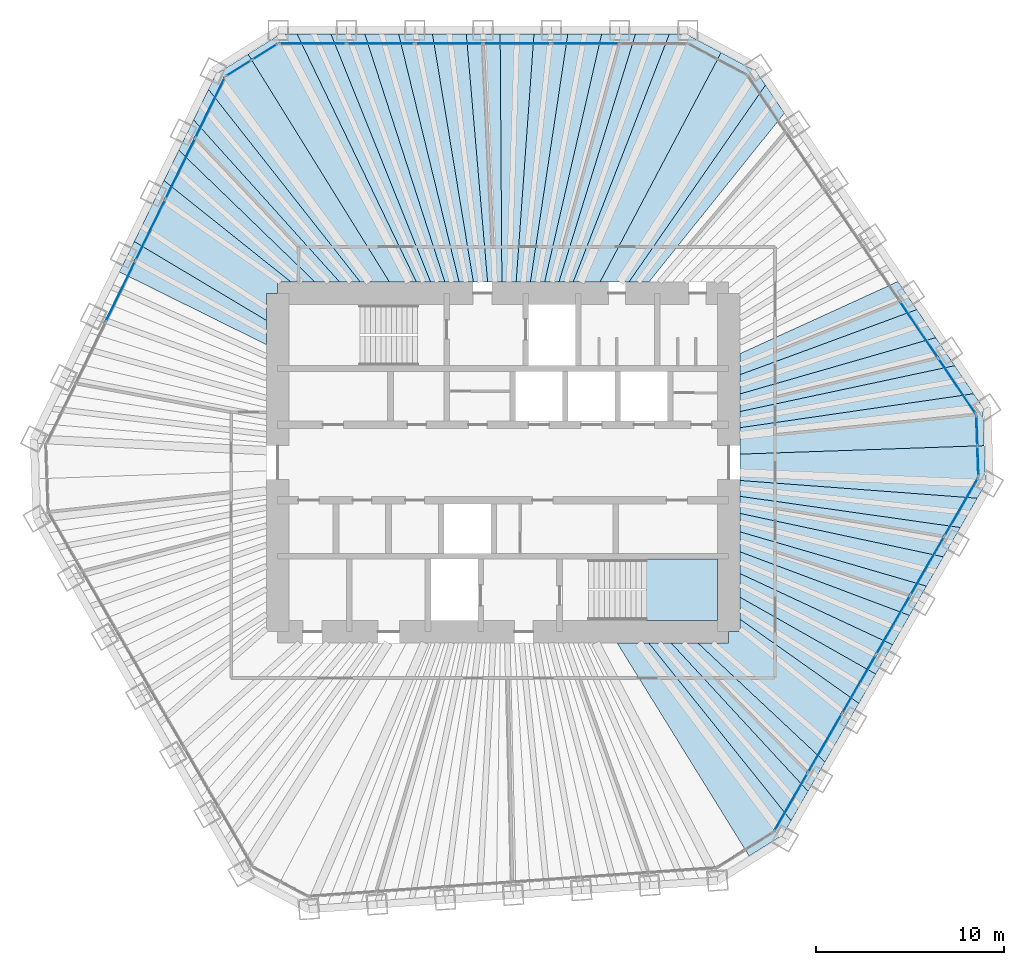
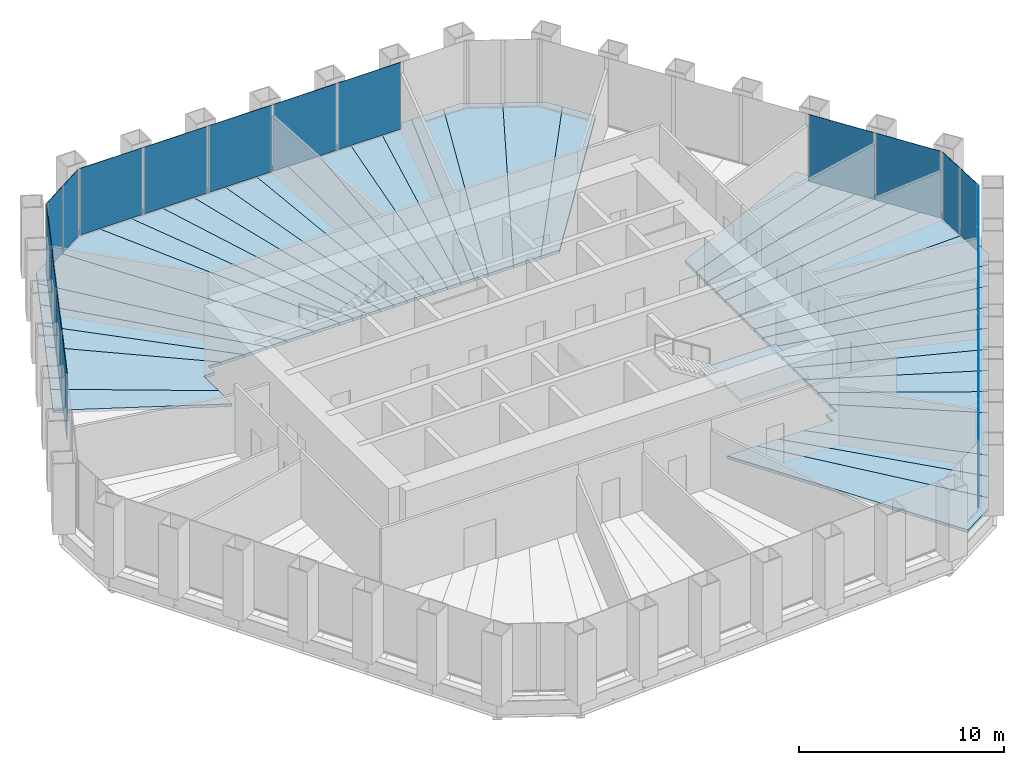
# One storey, part 9 of 13: 39 slabs, 21 plates, 7 elements without a shape of their own.
"""IFC4 building model written with IfcOpenShell, lengths in metres."""

from ifc_helpers import new_model, si_unit, direction, frame, origin, origin_2d, place, context, subcontext, project, spatial, polyline, rectangle, outline, extrude, material, layer, layer_set, type_object, element, aggregate, save


model = new_model("IFC4")

# Units and contexts
model_context = context("Model", 3, precision=1e-05, world=origin(), true_north=direction((0.0, 1.0)))
body_context = subcontext(model_context, "Body", "Model", "MODEL_VIEW")
ifc_project = project(units=[si_unit("LENGTHUNIT", "METRE"), si_unit("AREAUNIT", "SQUARE_METRE"), si_unit("VOLUMEUNIT", "CUBIC_METRE"), si_unit("PLANEANGLEUNIT", "RADIAN"), si_unit("MASSUNIT", "GRAM", prefix="KILO")], contexts=[model_context])

# Site, building, storey
site_placement = place(None, origin())
site = spatial("IfcSite", under=ifc_project, at=site_placement, CompositionType="ELEMENT")
building_placement = place(site_placement, origin())
building = spatial("IfcBuilding", under=site, at=building_placement, Name="Qingtian Harvest Tower", CompositionType="ELEMENT")
storey_placement = place(building_placement, frame((0.0, 0.0, 209.800048828125)))
storey = spatial("IfcBuildingStorey", under=building, at=storey_placement, Name="L45", CompositionType="ELEMENT", Elevation=209.800048828125)

# Slabs
ifc_material_1 = material(Name="Concrete fc' 35 MPa", Category="concrete")
ifc_layer_1 = layer(ifc_material_1, 0.169921875)
ifc_layer_set_1 = layer_set([ifc_layer_1], Name="Composite floor slab FS17 170")
slab_type_1 = type_object("IfcSlabType", Name="Composite floor slab FS17 170", PredefinedType="FLOOR", material=ifc_layer_set_1)
slab_1_placement = place(storey_placement, frame((0.0, 0.0, -0.170166015625)))
element("IfcSlab", 1, at=slab_1_placement, inside=storey, type_object=slab_type_1, Name="Floor slab L45 panel D27", PredefinedType="FLOOR", context=body_context, shape_type="SweptSolid", body=[
    extrude(outline(polyline([(6.059326171875, -9.60009765625), (7.740966796875, -9.60009765625), (15.3271484375, -19.0625), (14.886962890625, -19.8251953125), (13.090576171875, -20.94775390625), (6.059326171875, -9.60009765625)])), origin(), (0.0, 0.0, 1.0), 0.170166015625),
])
slab_2_placement = place(storey_placement, frame((0.0, 0.0, -0.170166015625)))
element("IfcSlab", 2, at=slab_2_placement, inside=storey, type_object=slab_type_1, Name="Floor slab L45 panel D28", PredefinedType="FLOOR", context=body_context, shape_type="SweptSolid", body=[
    extrude(outline(polyline([(8.929443359375, -9.60009765625), (16.22802734375, -17.50244140625), (15.3271484375, -19.0625), (7.740966796875, -9.60009765625), (8.929443359375, -9.60009765625)])), origin(), (0.0, 0.0, 1.0), 0.170166015625),
])
slab_3_placement = place(storey_placement, frame((0.0, 0.0, -0.170166015625)))
element("IfcSlab", 3, at=slab_3_placement, inside=storey, type_object=slab_type_1, Name="Floor slab L45 panel D29", PredefinedType="FLOOR", context=body_context, shape_type="SweptSolid", body=[
    extrude(outline(polyline([(10.35205078125, -9.60009765625), (17.128662109375, -15.942138671875), (16.22802734375, -17.50244140625), (8.929443359375, -9.60009765625), (10.35205078125, -9.60009765625)])), origin(), (0.0, 0.0, 1.0), 0.170166015625),
])
slab_4_placement = place(storey_placement, frame((0.0, 0.0, -0.170166015625)))
element("IfcSlab", 4, at=slab_4_placement, inside=storey, type_object=slab_type_1, Name="Floor slab L45 panel D31", PredefinedType="FLOOR", context=body_context, shape_type="SweptSolid", body=[
    extrude(outline(polyline([(12.60009765625, -8.33984375), (18.931884765625, -12.819091796875), (17.128662109375, -15.942138671875), (10.35205078125, -9.60009765625), (12.0, -9.60009765625), (12.0, -9.0), (12.60009765625, -9.0), (12.60009765625, -8.33984375)])), origin(), (0.0, 0.0, 1.0), 0.170166015625),
])
slab_5_placement = place(storey_placement, frame((0.0, 0.0, -0.170166015625)))
element("IfcSlab", 5, at=slab_5_placement, inside=storey, type_object=slab_type_1, Name="Floor slab L45 panel D32", PredefinedType="FLOOR", context=body_context, shape_type="SweptSolid", body=[
    extrude(outline(polyline([(12.60009765625, -7.171142578125), (19.830322265625, -11.262939453125), (18.931884765625, -12.819091796875), (12.60009765625, -8.33984375), (12.60009765625, -7.171142578125)])), origin(), (0.0, 0.0, 1.0), 0.170166015625),
])
slab_6_placement = place(storey_placement, frame((0.0, 0.0, -0.170166015625)))
element("IfcSlab", 6, at=slab_6_placement, inside=storey, type_object=slab_type_1, Name="Floor slab L45 panel D33", PredefinedType="FLOOR", context=body_context, shape_type="SweptSolid", body=[
    extrude(outline(polyline([(12.60009765625, -5.91015625), (20.73095703125, -9.702880859375), (19.830322265625, -11.262939453125), (12.60009765625, -7.171142578125), (12.60009765625, -5.91015625)])), origin(), (0.0, 0.0, 1.0), 0.170166015625),
])
slab_7_placement = place(storey_placement, frame((0.0, 0.0, -0.170166015625)))
element("IfcSlab", 7, at=slab_7_placement, inside=storey, type_object=slab_type_1, Name="Floor slab L45 panel D34", PredefinedType="FLOOR", context=body_context, shape_type="SweptSolid", body=[
    extrude(outline(polyline([(12.60009765625, -4.75439453125), (21.6318359375, -8.142578125), (20.73095703125, -9.702880859375), (12.60009765625, -5.91015625), (12.60009765625, -4.75439453125)])), origin(), (0.0, 0.0, 1.0), 0.170166015625),
])
slab_8_placement = place(storey_placement, frame((0.0, 0.0, -0.170166015625)))
element("IfcSlab", 8, at=slab_8_placement, inside=storey, type_object=slab_type_1, Name="Floor slab L45 panel D35", PredefinedType="FLOOR", context=body_context, shape_type="SweptSolid", body=[
    extrude(outline(polyline([(12.60009765625, -3.691162109375), (22.532470703125, -6.58251953125), (21.6318359375, -8.142578125), (12.60009765625, -4.75439453125), (12.60009765625, -3.691162109375)])), origin(), (0.0, 0.0, 1.0), 0.170166015625),
])
slab_9_placement = place(storey_placement, frame((0.0, 0.0, -0.170166015625)))
element("IfcSlab", 9, at=slab_9_placement, inside=storey, type_object=slab_type_1, Name="Floor slab L45 panel D36", PredefinedType="FLOOR", context=body_context, shape_type="SweptSolid", body=[
    extrude(outline(polyline([(12.60009765625, -2.709716796875), (23.43310546875, -5.022705078125), (22.532470703125, -6.58251953125), (12.60009765625, -3.691162109375), (12.60009765625, -2.709716796875)])), origin(), (0.0, 0.0, 1.0), 0.170166015625),
])
slab_10_placement = place(storey_placement, frame((0.0, 0.0, -0.170166015625)))
element("IfcSlab", 10, at=slab_10_placement, inside=storey, type_object=slab_type_1, Name="Floor slab L45 panel D37", PredefinedType="FLOOR", context=body_context, shape_type="SweptSolid", body=[
    extrude(outline(polyline([(12.60009765625, -1.801025390625), (24.333740234375, -3.462646484375), (23.43310546875, -5.022705078125), (12.60009765625, -2.709716796875), (12.60009765625, -1.801025390625)])), origin(), (0.0, 0.0, 1.0), 0.170166015625),
])
slab_11_placement = place(storey_placement, frame((0.0, 0.0, -0.170166015625)))
element("IfcSlab", 11, at=slab_11_placement, inside=storey, type_object=slab_type_1, Name="Floor slab L45 panel D38", PredefinedType="FLOOR", context=body_context, shape_type="SweptSolid", body=[
    extrude(outline(polyline([(12.60009765625, -0.95703125), (25.234619140625, -1.902587890625), (24.333740234375, -3.462646484375), (12.60009765625, -1.801025390625), (12.60009765625, -0.95703125)])), origin(), (0.0, 0.0, 1.0), 0.170166015625),
])
slab_12_placement = place(storey_placement, frame((0.0, 0.0, -0.170166015625)))
element("IfcSlab", 12, at=slab_12_placement, inside=storey, type_object=slab_type_1, Name="Floor slab L45 panel D39", PredefinedType="FLOOR", context=body_context, shape_type="SweptSolid", body=[
    extrude(outline(polyline([(12.60009765625, -0.95703125), (12.60009765625, 0.442626953125), (25.603759765625, 0.89404296875), (25.6748046875, -1.139892578125), (25.234619140625, -1.902587890625), (12.60009765625, -0.95703125)])), origin(), (0.0, 0.0, 1.0), 0.170166015625),
])
slab_13_placement = place(storey_placement, frame((0.0, 0.0, -0.170166015625)))
element("IfcSlab", 13, at=slab_13_placement, inside=storey, type_object=slab_type_1, Name="Floor slab L45 panel D40", PredefinedType="FLOOR", context=body_context, shape_type="SweptSolid", body=[
    extrude(outline(polyline([(12.60009765625, 0.442626953125), (12.60009765625, 1.848876953125), (25.040283203125, 3.658203125), (25.53271484375, 2.92822265625), (25.603759765625, 0.89404296875), (12.60009765625, 0.442626953125)])), origin(), (0.0, 0.0, 1.0), 0.170166015625),
])
slab_14_placement = place(storey_placement, frame((0.0, 0.0, -0.170166015625)))
element("IfcSlab", 14, at=slab_14_placement, inside=storey, type_object=slab_type_1, Name="Floor slab L45 panel D41", PredefinedType="FLOOR", context=body_context, shape_type="SweptSolid", body=[
    extrude(outline(polyline([(12.60009765625, 2.710205078125), (24.032958984375, 5.151611328125), (25.040283203125, 3.658203125), (12.60009765625, 1.848876953125), (12.60009765625, 2.710205078125)])), origin(), (0.0, 0.0, 1.0), 0.170166015625),
])
slab_15_placement = place(storey_placement, frame((0.0, 0.0, -0.170166015625)))
element("IfcSlab", 15, at=slab_15_placement, inside=storey, type_object=slab_type_1, Name="Floor slab L45 panel D42", PredefinedType="FLOOR", context=body_context, shape_type="SweptSolid", body=[
    extrude(outline(polyline([(12.60009765625, 3.646728515625), (23.025634765625, 6.64501953125), (24.032958984375, 5.151611328125), (12.60009765625, 2.710205078125), (12.60009765625, 3.646728515625)])), origin(), (0.0, 0.0, 1.0), 0.170166015625),
])
slab_16_placement = place(storey_placement, frame((0.0, 0.0, -0.170166015625)))
element("IfcSlab", 16, at=slab_16_placement, inside=storey, type_object=slab_type_1, Name="Floor slab L45 panel D43", PredefinedType="FLOOR", context=body_context, shape_type="SweptSolid", body=[
    extrude(outline(polyline([(12.60009765625, 4.669189453125), (22.018310546875, 8.138427734375), (23.025634765625, 6.64501953125), (12.60009765625, 3.646728515625), (12.60009765625, 4.669189453125)])), origin(), (0.0, 0.0, 1.0), 0.170166015625),
])
slab_17_placement = place(storey_placement, frame((0.0, 0.0, -0.170166015625)))
element("IfcSlab", 17, at=slab_17_placement, inside=storey, type_object=slab_type_1, Name="Floor slab L45 panel D44", PredefinedType="FLOOR", context=body_context, shape_type="SweptSolid", body=[
    extrude(outline(polyline([(12.60009765625, 5.7900390625), (21.010986328125, 9.6318359375), (22.018310546875, 8.138427734375), (12.60009765625, 4.669189453125), (12.60009765625, 5.7900390625)])), origin(), (0.0, 0.0, 1.0), 0.170166015625),
])
slab_18_placement = place(storey_placement, frame((0.0, 0.0, -0.170166015625)))
element("IfcSlab", 18, at=slab_18_placement, inside=storey, type_object=slab_type_1, Name="Floor slab L45 panel D51", PredefinedType="FLOOR", context=body_context, shape_type="SweptSolid", body=[
    extrude(outline(polyline([(6.6904296875, 9.60009765625), (13.960205078125, 20.085205078125), (14.967529296875, 18.591796875), (7.751220703125, 9.60009765625), (6.6904296875, 9.60009765625)])), origin(), (0.0, 0.0, 1.0), 0.170166015625),
])
slab_19_placement = place(storey_placement, frame((0.0, 0.0, -0.170166015625)))
element("IfcSlab", 19, at=slab_19_placement, inside=storey, type_object=slab_type_1, Name="Floor slab L45 panel D52", PredefinedType="FLOOR", context=body_context, shape_type="SweptSolid", body=[
    extrude(outline(polyline([(6.6904296875, 9.60009765625), (5.15185546875, 9.60009765625), (11.59716796875, 21.809814453125), (13.4677734375, 20.8154296875), (13.960205078125, 20.085205078125), (6.6904296875, 9.60009765625)])), origin(), (0.0, 0.0, 1.0), 0.170166015625),
])
slab_20_placement = place(storey_placement, frame((0.0, 0.0, -0.170166015625)))
element("IfcSlab", 20, at=slab_20_placement, inside=storey, type_object=slab_type_1, Name="Floor slab L45 panel D53", PredefinedType="FLOOR", context=body_context, shape_type="SweptSolid", body=[
    extrude(outline(polyline([(3.7236328125, 9.60009765625), (8.84521484375, 22.804931640625), (9.7255859375, 22.804931640625), (11.59716796875, 21.809814453125), (5.15185546875, 9.60009765625), (3.7236328125, 9.60009765625)])), origin(), (0.0, 0.0, 1.0), 0.170166015625),
])
slab_21_placement = place(storey_placement, frame((0.0, 0.0, -0.170166015625)))
element("IfcSlab", 21, at=slab_21_placement, inside=storey, type_object=slab_type_1, Name="Floor slab L45 panel D54", PredefinedType="FLOOR", context=body_context, shape_type="SweptSolid", body=[
    extrude(outline(polyline([(2.96533203125, 9.60009765625), (7.0439453125, 22.804931640625), (8.84521484375, 22.804931640625), (3.7236328125, 9.60009765625), (2.96533203125, 9.60009765625)])), origin(), (0.0, 0.0, 1.0), 0.170166015625),
])
slab_22_placement = place(storey_placement, frame((0.0, 0.0, -0.170166015625)))
element("IfcSlab", 22, at=slab_22_placement, inside=storey, type_object=slab_type_1, Name="Floor slab L45 panel D55", PredefinedType="FLOOR", context=body_context, shape_type="SweptSolid", body=[
    extrude(outline(polyline([(2.206787109375, 9.60009765625), (5.242431640625, 22.804931640625), (7.0439453125, 22.804931640625), (2.96533203125, 9.60009765625), (2.206787109375, 9.60009765625)])), origin(), (0.0, 0.0, 1.0), 0.170166015625),
])
slab_23_placement = place(storey_placement, frame((0.0, 0.0, -0.170166015625)))
element("IfcSlab", 23, at=slab_23_placement, inside=storey, type_object=slab_type_1, Name="Floor slab L45 panel D56", PredefinedType="FLOOR", context=body_context, shape_type="SweptSolid", body=[
    extrude(outline(polyline([(1.448486328125, 9.60009765625), (3.441162109375, 22.804931640625), (5.242431640625, 22.804931640625), (2.206787109375, 9.60009765625), (1.448486328125, 9.60009765625)])), origin(), (0.0, 0.0, 1.0), 0.170166015625),
])
slab_24_placement = place(storey_placement, frame((0.0, 0.0, -0.170166015625)))
element("IfcSlab", 24, at=slab_24_placement, inside=storey, type_object=slab_type_1, Name="Floor slab L45 panel D57", PredefinedType="FLOOR", context=body_context, shape_type="SweptSolid", body=[
    extrude(outline(polyline([(0.690185546875, 9.60009765625), (1.639892578125, 22.804931640625), (3.441162109375, 22.804931640625), (1.448486328125, 9.60009765625), (0.690185546875, 9.60009765625)])), origin(), (0.0, 0.0, 1.0), 0.170166015625),
])
slab_25_placement = place(storey_placement, frame((0.0, 0.0, -0.170166015625)))
element("IfcSlab", 25, at=slab_25_placement, inside=storey, type_object=slab_type_1, Name="Floor slab L45 panel D58", PredefinedType="FLOOR", context=body_context, shape_type="SweptSolid", body=[
    extrude(outline(polyline([(-0.068115234375, 9.60009765625), (-0.16162109375, 22.804931640625), (1.639892578125, 22.804931640625), (0.690185546875, 9.60009765625), (-0.068115234375, 9.60009765625)])), origin(), (0.0, 0.0, 1.0), 0.170166015625),
])
slab_26_placement = place(storey_placement, frame((0.0, 0.0, -0.170166015625)))
element("IfcSlab", 26, at=slab_26_placement, inside=storey, type_object=slab_type_1, Name="Floor slab L45 panel D59", PredefinedType="FLOOR", context=body_context, shape_type="SweptSolid", body=[
    extrude(outline(polyline([(-0.826416015625, 9.60009765625), (-1.962890625, 22.804931640625), (-0.16162109375, 22.804931640625), (-0.068115234375, 9.60009765625), (-0.826416015625, 9.60009765625)])), origin(), (0.0, 0.0, 1.0), 0.170166015625),
])
slab_27_placement = place(storey_placement, frame((0.0, 0.0, -0.170166015625)))
element("IfcSlab", 27, at=slab_27_placement, inside=storey, type_object=slab_type_1, Name="Floor slab L45 panel D60", PredefinedType="FLOOR", context=body_context, shape_type="SweptSolid", body=[
    extrude(outline(polyline([(-1.584716796875, 9.60009765625), (-3.764404296875, 22.804931640625), (-1.962890625, 22.804931640625), (-0.826416015625, 9.60009765625), (-1.584716796875, 9.60009765625)])), origin(), (0.0, 0.0, 1.0), 0.170166015625),
])
slab_28_placement = place(storey_placement, frame((0.0, 0.0, -0.170166015625)))
element("IfcSlab", 28, at=slab_28_placement, inside=storey, type_object=slab_type_1, Name="Floor slab L45 panel D61", PredefinedType="FLOOR", context=body_context, shape_type="SweptSolid", body=[
    extrude(outline(polyline([(-2.343017578125, 9.60009765625), (-5.565673828125, 22.804931640625), (-3.764404296875, 22.804931640625), (-1.584716796875, 9.60009765625), (-2.343017578125, 9.60009765625)])), origin(), (0.0, 0.0, 1.0), 0.170166015625),
])
slab_29_placement = place(storey_placement, frame((0.0, 0.0, -0.170166015625)))
element("IfcSlab", 29, at=slab_29_placement, inside=storey, type_object=slab_type_1, Name="Floor slab L45 panel D62", PredefinedType="FLOOR", context=body_context, shape_type="SweptSolid", body=[
    extrude(outline(polyline([(-3.101318359375, 9.60009765625), (-7.366943359375, 22.804931640625), (-5.565673828125, 22.804931640625), (-2.343017578125, 9.60009765625), (-3.101318359375, 9.60009765625)])), origin(), (0.0, 0.0, 1.0), 0.170166015625),
])
slab_30_placement = place(storey_placement, frame((0.0, 0.0, -0.170166015625)))
element("IfcSlab", 30, at=slab_30_placement, inside=storey, type_object=slab_type_1, Name="Floor slab L45 panel D63", PredefinedType="FLOOR", context=body_context, shape_type="SweptSolid", body=[
    extrude(outline(polyline([(-3.859619140625, 9.60009765625), (-9.16845703125, 22.804931640625), (-7.366943359375, 22.804931640625), (-3.101318359375, 9.60009765625), (-3.859619140625, 9.60009765625)])), origin(), (0.0, 0.0, 1.0), 0.170166015625),
])
slab_31_placement = place(storey_placement, frame((0.0, 0.0, -0.170166015625)))
element("IfcSlab", 31, at=slab_31_placement, inside=storey, type_object=slab_type_1, Name="Floor slab L45 panel D64", PredefinedType="FLOOR", context=body_context, shape_type="SweptSolid", body=[
    extrude(outline(polyline([(-4.617919921875, 9.60009765625), (-10.9697265625, 22.804931640625), (-9.16845703125, 22.804931640625), (-3.859619140625, 9.60009765625), (-4.617919921875, 9.60009765625)])), origin(), (0.0, 0.0, 1.0), 0.170166015625),
])
slab_32_placement = place(storey_placement, frame((0.0, 0.0, -0.170166015625)))
element("IfcSlab", 32, at=slab_32_placement, inside=storey, type_object=slab_type_1, Name="Floor slab L45 panel D65", PredefinedType="FLOOR", context=body_context, shape_type="SweptSolid", body=[
    extrude(outline(polyline([(-4.617919921875, 9.60009765625), (-6.050537109375, 9.60009765625), (-13.57666015625, 21.72607421875), (-11.85009765625, 22.804931640625), (-10.9697265625, 22.804931640625), (-4.617919921875, 9.60009765625)])), origin(), (0.0, 0.0, 1.0), 0.170166015625),
])
slab_33_placement = place(storey_placement, frame((0.0, 0.0, -0.170166015625)))
element("IfcSlab", 33, at=slab_33_placement, inside=storey, type_object=slab_type_1, Name="Floor slab L45 panel D66", PredefinedType="FLOOR", context=body_context, shape_type="SweptSolid", body=[
    extrude(outline(polyline([(-6.050537109375, 9.60009765625), (-7.60498046875, 9.60009765625), (-15.688232421875, 19.8564453125), (-15.30224609375, 20.64794921875), (-13.57666015625, 21.72607421875), (-6.050537109375, 9.60009765625)])), origin(), (0.0, 0.0, 1.0), 0.170166015625),
])
slab_34_placement = place(storey_placement, frame((0.0, 0.0, -0.170166015625)))
element("IfcSlab", 34, at=slab_34_placement, inside=storey, type_object=slab_type_1, Name="Floor slab L45 panel D67", PredefinedType="FLOOR", context=body_context, shape_type="SweptSolid", body=[
    extrude(outline(polyline([(-8.699951171875, 9.60009765625), (-16.47802734375, 18.2373046875), (-15.688232421875, 19.8564453125), (-7.60498046875, 9.60009765625), (-8.699951171875, 9.60009765625)])), origin(), (0.0, 0.0, 1.0), 0.170166015625),
])
slab_35_placement = place(storey_placement, frame((0.0, 0.0, -0.170166015625)))
element("IfcSlab", 35, at=slab_35_placement, inside=storey, type_object=slab_type_1, Name="Floor slab L45 panel D68", PredefinedType="FLOOR", context=body_context, shape_type="SweptSolid", body=[
    extrude(outline(polyline([(-10.009765625, 9.60009765625), (-17.267822265625, 16.6181640625), (-16.47802734375, 18.2373046875), (-8.699951171875, 9.60009765625), (-10.009765625, 9.60009765625)])), origin(), (0.0, 0.0, 1.0), 0.170166015625),
])
slab_36_placement = place(storey_placement, frame((0.0, 0.0, -0.170166015625)))
element("IfcSlab", 36, at=slab_36_placement, inside=storey, type_object=slab_type_1, Name="Floor slab L45 panel D69", PredefinedType="FLOOR", context=body_context, shape_type="SweptSolid", body=[
    extrude(outline(polyline([(-11.28759765625, 9.60009765625), (-18.055419921875, 15.003173828125), (-17.267822265625, 16.6181640625), (-10.009765625, 9.60009765625), (-11.28759765625, 9.60009765625)])), origin(), (0.0, 0.0, 1.0), 0.170166015625),
])
slab_37_placement = place(storey_placement, frame((0.0, 0.0, -0.170166015625)))
element("IfcSlab", 37, at=slab_37_placement, inside=storey, type_object=slab_type_1, Name="Floor slab L45 panel D70", PredefinedType="FLOOR", context=body_context, shape_type="SweptSolid", body=[
    extrude(outline(polyline([(-12.0, 9.0), (-12.60009765625, 9.0), (-12.60009765625, 7.560302734375), (-19.636474609375, 11.761474609375), (-18.055419921875, 15.003173828125), (-11.28759765625, 9.60009765625), (-12.0, 9.60009765625), (-12.0, 9.0)])), origin(), (0.0, 0.0, 1.0), 0.170166015625),
])
slab_38_placement = place(storey_placement, frame((0.0, 0.0, -0.170166015625)))
element("IfcSlab", 38, at=slab_38_placement, inside=storey, type_object=slab_type_1, Name="Floor slab L45 panel D72", PredefinedType="FLOOR", context=body_context, shape_type="SweptSolid", body=[
    extrude(outline(polyline([(-12.60009765625, 6.268310546875), (-20.426025390625, 10.142578125), (-19.636474609375, 11.761474609375), (-12.60009765625, 7.560302734375), (-12.60009765625, 6.268310546875)])), origin(), (0.0, 0.0, 1.0), 0.170166015625),
])

# Curtain wall, plates
ifc_material_2 = material(Name="Bronze-anodised aluminium curtain wall", Category="aluminium")
curtain_wall_type = type_object("IfcCurtainWallType", Name="Curtain wall CW4 office", PredefinedType="USERDEFINED", material=ifc_material_2)
curtain_wall_1_placement = place(storey_placement, origin())
curtain_wall_1 = element("IfcCurtainWall", 39, at=curtain_wall_1_placement, inside=storey, type_object=curtain_wall_type, Name="Curtain wall CW4 L45 N0-5", ObjectType="RECESSED CURTAIN WALL", PredefinedType="USERDEFINED")
ifc_material_3 = material(Name="Bronze-tinted laminated insulating glass", Category="glass")
ifc_layer_2 = layer(ifc_material_3, 0.030029296875)
ifc_layer_set_2 = layer_set([ifc_layer_2], Name="Glazed panel CWP tinted IGU")
plate_type = type_object("IfcPlateType", Name="Glazed panel CWP tinted IGU", PredefinedType="CURTAIN_PANEL", material=ifc_layer_set_2)
plate_1_placement = place(storey_placement, frame((-10.138916015625, 22.300048828125, 0.06494140625), z_axis=(0.0, 0.0, 1.0), x_axis=(1.0, 0.0, 0.0)))
plate_1 = element("IfcPlate", 40, at=plate_1_placement, type_object=plate_type, Name="CW4 panel 1.1", PredefinedType="CURTAIN_PANEL", context=body_context, shape_type="SweptSolid", body=[
    extrude(rectangle(XDim=3.5361328125, YDim=0.030029296875, at=origin_2d()), origin(), (0.0, 0.0, 1.0), 3.965087890625),
])
plate_2_placement = place(storey_placement, frame((-6.521728515625, 22.300048828125, 0.06494140625), z_axis=(0.0, 0.0, 1.0), x_axis=(1.0, 0.0, 0.0)))
plate_2 = element("IfcPlate", 41, at=plate_2_placement, type_object=plate_type, Name="CW4 panel 2.1", PredefinedType="CURTAIN_PANEL", context=body_context, shape_type="SweptSolid", body=[
    extrude(rectangle(XDim=3.568603515625, YDim=0.030029296875, at=origin_2d()), origin(), (0.0, 0.0, 1.0), 3.965087890625),
])
plate_3_placement = place(storey_placement, frame((-2.88818359375, 22.300048828125, 0.06494140625), z_axis=(0.0, 0.0, 1.0), x_axis=(1.0, 0.0, 0.0)))
plate_3 = element("IfcPlate", 42, at=plate_3_placement, type_object=plate_type, Name="CW4 panel 3.1", PredefinedType="CURTAIN_PANEL", context=body_context, shape_type="SweptSolid", body=[
    extrude(rectangle(XDim=3.568603515625, YDim=0.030029296875, at=origin_2d()), origin(), (0.0, 0.0, 1.0), 3.965087890625),
])
plate_4_placement = place(storey_placement, frame((0.745361328125, 22.300048828125, 0.06494140625), z_axis=(0.0, 0.0, 1.0), x_axis=(1.0, 0.0, 0.0)))
plate_4 = element("IfcPlate", 43, at=plate_4_placement, type_object=plate_type, Name="CW4 panel 4.1", PredefinedType="CURTAIN_PANEL", context=body_context, shape_type="SweptSolid", body=[
    extrude(rectangle(XDim=3.568603515625, YDim=0.030029296875, at=origin_2d()), origin(), (0.0, 0.0, 1.0), 3.965087890625),
])
plate_5_placement = place(storey_placement, frame((4.37890625, 22.300048828125, 0.06494140625), z_axis=(0.0, 0.0, 1.0), x_axis=(1.0, 0.0, 0.0)))
plate_5 = element("IfcPlate", 44, at=plate_5_placement, type_object=plate_type, Name="CW4 panel 5.1", PredefinedType="CURTAIN_PANEL", context=body_context, shape_type="SweptSolid", body=[
    extrude(rectangle(XDim=3.568603515625, YDim=0.030029296875, at=origin_2d()), origin(), (0.0, 0.0, 1.0), 3.965087890625),
])
aggregate(curtain_wall_1, [plate_1, plate_2, plate_3, plate_4, plate_5])

curtain_wall_2_placement = place(storey_placement, origin())
curtain_wall_2 = element("IfcCurtainWall", 45, at=curtain_wall_2_placement, inside=storey, type_object=curtain_wall_type, Name="Curtain wall CW4 L45 NE0-5", ObjectType="RECESSED CURTAIN WALL", PredefinedType="USERDEFINED")
plate_6_placement = place(storey_placement, frame((22.134521484375, 7.063232421875, 0.06494140625), z_axis=(0.0, 0.0, 1.0), x_axis=(0.559192903471, -0.829037572555, 0.0)))
plate_6 = element("IfcPlate", 46, at=plate_6_placement, type_object=plate_type, Name="CW4 panel 5.1", PredefinedType="CURTAIN_PANEL", context=body_context, shape_type="SweptSolid", body=[
    extrude(rectangle(XDim=3.568603515625, YDim=0.030029296875, at=origin_2d()), origin(), (0.0, 0.0, 1.0), 3.965087890625),
])
plate_7_placement = place(storey_placement, frame((24.1572265625, 4.064453125, 0.06494140625), z_axis=(0.0, 0.0, 1.0), x_axis=(0.559192903471, -0.829037572555, 0.0)))
plate_7 = element("IfcPlate", 47, at=plate_7_placement, type_object=plate_type, Name="CW4 panel 6.1", PredefinedType="CURTAIN_PANEL", context=body_context, shape_type="SweptSolid", body=[
    extrude(rectangle(XDim=3.5361328125, YDim=0.030029296875, at=origin_2d()), origin(), (0.0, 0.0, 1.0), 3.965087890625),
])
aggregate(curtain_wall_2, [plate_6, plate_7])

curtain_wall_3_placement = place(storey_placement, origin())
curtain_wall_3 = element("IfcCurtainWall", 48, at=curtain_wall_3_placement, inside=storey, type_object=curtain_wall_type, Name="Curtain wall CW4 L45 NEC", ObjectType="RECESSED CURTAIN WALL", PredefinedType="USERDEFINED")
plate_8_placement = place(storey_placement, frame((25.2119140625, 1.69677734375, 0.06494140625), z_axis=(0.0, 0.0, 1.0), x_axis=(0.034899496703, -0.999390827019, 0.0)))
plate_8 = element("IfcPlate", 49, at=plate_8_placement, type_object=plate_type, Name="CW4 panel 1.1", PredefinedType="CURTAIN_PANEL", context=body_context, shape_type="SweptSolid", body=[
    extrude(rectangle(XDim=1.56689453125, YDim=0.030029296875, at=origin_2d()), origin(), (0.0, 0.0, 1.0), 3.965087890625),
])
plate_9_placement = place(storey_placement, frame((25.268798828125, 0.06591796875, 0.06494140625), z_axis=(0.0, 0.0, 1.0), x_axis=(0.034899496703, -0.999390827019, 0.0)))
plate_9 = element("IfcPlate", 50, at=plate_9_placement, type_object=plate_type, Name="CW4 panel 2.1", PredefinedType="CURTAIN_PANEL", context=body_context, shape_type="SweptSolid", body=[
    extrude(rectangle(XDim=1.56689453125, YDim=0.030029296875, at=origin_2d()), origin(), (0.0, 0.0, 1.0), 3.965087890625),
])
aggregate(curtain_wall_3, [plate_8, plate_9])

curtain_wall_4_placement = place(storey_placement, origin())
curtain_wall_4 = element("IfcCurtainWall", 51, at=curtain_wall_4_placement, inside=storey, type_object=curtain_wall_type, Name="Curtain wall CW4 L45 SE0-5", ObjectType="RECESSED CURTAIN WALL", PredefinedType="USERDEFINED")
plate_10_placement = place(storey_placement, frame((24.3818359375, -2.369384765625, 0.06494140625), z_axis=(0.0, 0.0, 1.0), x_axis=(-0.5, -0.866025403784, 0.0)))
plate_10 = element("IfcPlate", 52, at=plate_10_placement, type_object=plate_type, Name="CW4 panel 1.1", PredefinedType="CURTAIN_PANEL", context=body_context, shape_type="SweptSolid", body=[
    extrude(rectangle(XDim=3.5361328125, YDim=0.030029296875, at=origin_2d()), origin(), (0.0, 0.0, 1.0), 3.965087890625),
])
plate_11_placement = place(storey_placement, frame((22.5732421875, -5.501953125, 0.06494140625), z_axis=(0.0, 0.0, 1.0), x_axis=(-0.5, -0.866025403784, 0.0)))
plate_11 = element("IfcPlate", 53, at=plate_11_placement, type_object=plate_type, Name="CW4 panel 2.1", PredefinedType="CURTAIN_PANEL", context=body_context, shape_type="SweptSolid", body=[
    extrude(rectangle(XDim=3.568603515625, YDim=0.030029296875, at=origin_2d()), origin(), (0.0, 0.0, 1.0), 3.965087890625),
])
plate_12_placement = place(storey_placement, frame((20.75634765625, -8.64892578125, 0.06494140625), z_axis=(0.0, 0.0, 1.0), x_axis=(-0.5, -0.866025403784, 0.0)))
plate_12 = element("IfcPlate", 54, at=plate_12_placement, type_object=plate_type, Name="CW4 panel 3.1", PredefinedType="CURTAIN_PANEL", context=body_context, shape_type="SweptSolid", body=[
    extrude(rectangle(XDim=3.568603515625, YDim=0.030029296875, at=origin_2d()), origin(), (0.0, 0.0, 1.0), 3.965087890625),
])
plate_13_placement = place(storey_placement, frame((18.939697265625, -11.795654296875, 0.06494140625), z_axis=(0.0, 0.0, 1.0), x_axis=(-0.5, -0.866025403784, 0.0)))
plate_13 = element("IfcPlate", 55, at=plate_13_placement, type_object=plate_type, Name="CW4 panel 4.1", PredefinedType="CURTAIN_PANEL", context=body_context, shape_type="SweptSolid", body=[
    extrude(rectangle(XDim=3.568603515625, YDim=0.030029296875, at=origin_2d()), origin(), (0.0, 0.0, 1.0), 3.965087890625),
])
plate_14_placement = place(storey_placement, frame((17.122802734375, -14.9423828125, 0.06494140625), z_axis=(0.0, 0.0, 1.0), x_axis=(-0.5, -0.866025403784, 0.0)))
plate_14 = element("IfcPlate", 56, at=plate_14_placement, type_object=plate_type, Name="CW4 panel 5.1", PredefinedType="CURTAIN_PANEL", context=body_context, shape_type="SweptSolid", body=[
    extrude(rectangle(XDim=3.568603515625, YDim=0.030029296875, at=origin_2d()), origin(), (0.0, 0.0, 1.0), 3.965087890625),
])
plate_15_placement = place(storey_placement, frame((15.314208984375, -18.074951171875, 0.06494140625), z_axis=(0.0, 0.0, 1.0), x_axis=(-0.5, -0.866025403784, 0.0)))
plate_15 = element("IfcPlate", 57, at=plate_15_placement, type_object=plate_type, Name="CW4 panel 6.1", PredefinedType="CURTAIN_PANEL", context=body_context, shape_type="SweptSolid", body=[
    extrude(rectangle(XDim=3.5361328125, YDim=0.030029296875, at=origin_2d()), origin(), (0.0, 0.0, 1.0), 3.965087890625),
])
aggregate(curtain_wall_4, [plate_10, plate_11, plate_12, plate_13, plate_14, plate_15])

curtain_wall_5_placement = place(storey_placement, origin())
curtain_wall_5 = element("IfcCurtainWall", 58, at=curtain_wall_5_placement, inside=storey, type_object=curtain_wall_type, Name="Curtain wall CW4 L45 NW0-5", ObjectType="RECESSED CURTAIN WALL", PredefinedType="USERDEFINED")
plate_16_placement = place(storey_placement, frame((-20.369873046875, 9.105712890625, 0.06494140625), z_axis=(0.0, 0.0, 1.0), x_axis=(0.438371146789, 0.898794046299, 0.0)))
plate_16 = element("IfcPlate", 59, at=plate_16_placement, type_object=plate_type, Name="CW4 panel 3.1", PredefinedType="CURTAIN_PANEL", context=body_context, shape_type="SweptSolid", body=[
    extrude(rectangle(XDim=3.568603515625, YDim=0.030029296875, at=origin_2d()), origin(), (0.0, 0.0, 1.0), 3.965087890625),
])
plate_17_placement = place(storey_placement, frame((-18.777099609375, 12.37158203125, 0.06494140625), z_axis=(0.0, 0.0, 1.0), x_axis=(0.438371146789, 0.898794046299, 0.0)))
plate_17 = element("IfcPlate", 60, at=plate_17_placement, type_object=plate_type, Name="CW4 panel 4.1", PredefinedType="CURTAIN_PANEL", context=body_context, shape_type="SweptSolid", body=[
    extrude(rectangle(XDim=3.568603515625, YDim=0.030029296875, at=origin_2d()), origin(), (0.0, 0.0, 1.0), 3.965087890625),
])
plate_18_placement = place(storey_placement, frame((-17.18408203125, 15.63720703125, 0.06494140625), z_axis=(0.0, 0.0, 1.0), x_axis=(0.438371146789, 0.898794046299, 0.0)))
plate_18 = element("IfcPlate", 61, at=plate_18_placement, type_object=plate_type, Name="CW4 panel 5.1", PredefinedType="CURTAIN_PANEL", context=body_context, shape_type="SweptSolid", body=[
    extrude(rectangle(XDim=3.568603515625, YDim=0.030029296875, at=origin_2d()), origin(), (0.0, 0.0, 1.0), 3.965087890625),
])
plate_19_placement = place(storey_placement, frame((-15.598388671875, 18.888427734375, 0.06494140625), z_axis=(0.0, 0.0, 1.0), x_axis=(0.438371146789, 0.898794046299, 0.0)))
plate_19 = element("IfcPlate", 62, at=plate_19_placement, type_object=plate_type, Name="CW4 panel 6.1", PredefinedType="CURTAIN_PANEL", context=body_context, shape_type="SweptSolid", body=[
    extrude(rectangle(XDim=3.5361328125, YDim=0.030029296875, at=origin_2d()), origin(), (0.0, 0.0, 1.0), 3.965087890625),
])
aggregate(curtain_wall_5, [plate_16, plate_17, plate_18, plate_19])

curtain_wall_6_placement = place(storey_placement, origin())
curtain_wall_6 = element("IfcCurtainWall", 63, at=curtain_wall_6_placement, inside=storey, type_object=curtain_wall_type, Name="Curtain wall CW4 L45 NWC", ObjectType="RECESSED CURTAIN WALL", PredefinedType="USERDEFINED")
plate_20_placement = place(storey_placement, frame((-14.075439453125, 20.985595703125, 0.06494140625), z_axis=(0.0, 0.0, 1.0), x_axis=(0.848048096156, 0.529919264233, 0.0)))
plate_20 = element("IfcPlate", 64, at=plate_20_placement, type_object=plate_type, Name="CW4 panel 1.1", PredefinedType="CURTAIN_PANEL", context=body_context, shape_type="SweptSolid", body=[
    extrude(rectangle(XDim=1.56689453125, YDim=0.030029296875, at=origin_2d()), origin(), (0.0, 0.0, 1.0), 3.965087890625),
])
plate_21_placement = place(storey_placement, frame((-12.69140625, 21.850341796875, 0.06494140625), z_axis=(0.0, 0.0, 1.0), x_axis=(0.848048096156, 0.529919264233, 0.0)))
plate_21 = element("IfcPlate", 65, at=plate_21_placement, type_object=plate_type, Name="CW4 panel 2.1", PredefinedType="CURTAIN_PANEL", context=body_context, shape_type="SweptSolid", body=[
    extrude(rectangle(XDim=1.56689453125, YDim=0.030029296875, at=origin_2d()), origin(), (0.0, 0.0, 1.0), 3.965087890625),
])
aggregate(curtain_wall_6, [plate_20, plate_21])

# Stair, slab
ifc_material_4 = material(Name="Concrete fc' 35 MPa", Category="concrete")
stair_type = type_object("IfcStairType", Name="Special stair ST4 4200", PredefinedType="HALF_TURN_STAIR", material=ifc_material_4)
stair_placement = place(storey_placement, origin())
stair = element("IfcStair", 66, at=stair_placement, inside=storey, type_object=stair_type, Name="Special stair S2 L45", PredefinedType="HALF_TURN_STAIR")
ifc_material_5 = material(Name="Concrete fc' 35 MPa", Category="concrete")
ifc_layer_3 = layer(ifc_material_5, 0.199951171875)
ifc_layer_set_3 = layer_set([ifc_layer_3], Name="Stair landing SL2 200")
slab_type_2 = type_object("IfcSlabType", Name="Stair landing SL2 200", PredefinedType="LANDING", material=ifc_layer_set_3)
slab_39_placement = place(storey_placement, frame((0.0, 0.0, 1.89990234375)))
slab_39 = element("IfcSlab", 67, at=slab_39_placement, type_object=slab_type_2, Name="S2 landing 2", PredefinedType="LANDING", context=body_context, shape_type="SweptSolid", body=[
    extrude(outline(polyline([(7.530029296875, -8.39990234375), (7.530029296875, -6.824951171875), (7.6298828125, -6.824951171875), (7.6298828125, -6.72509765625), (7.094970703125, -6.72509765625), (7.094970703125, -5.14990234375), (11.39990234375, -5.14990234375), (11.39990234375, -8.39990234375), (7.530029296875, -8.39990234375)])), origin(), (0.0, 0.0, 1.0), 0.199951171875),
])
aggregate(stair, [slab_39])

save(model, "model.ifc")
